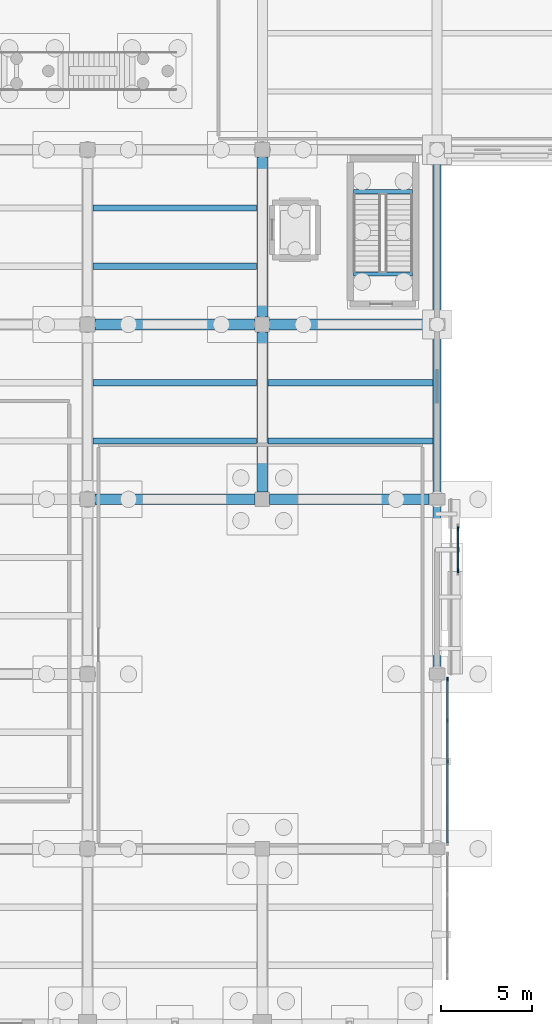
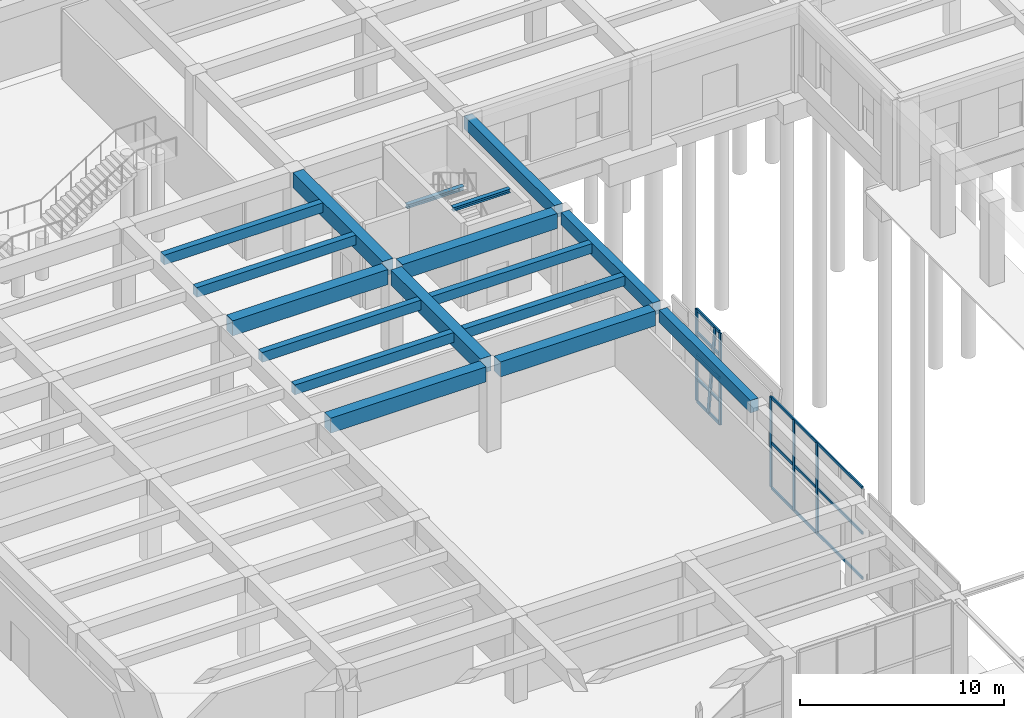
# One storey, part 20 of 51: 17 beams, 14 members, 2 elements without a shape of their own.
"""IFC4 building model written with IfcOpenShell, lengths in metres."""

import ifcopenshell
import ifcopenshell.guid

model = None  # the IFC model being written
_history = None  # IfcOwnerHistory: only IFC2X3 demands one
_inside = {}  # id of a spatial element -> (the spatial element, [elements in it])
_under = {}  # id of a project, library or spatial element -> (it, [spatial elements below it])
_declared = {}  # id of a project -> (the project, [libraries it declares])
_typed = {}  # id of a type object -> (the type object, [elements of that type])
_made_of = {}  # id of a material, layer set ... -> (it, [elements and type objects made of it])


def new_model(schema):
    """Start an empty IFC model of exactly this schema.

    Asked for "IFC4X3", IfcOpenShell would pick the latest addendum, in which some entities
    have other attributes; the version numbers below select the first issue.
    IFC2X3 requires an IfcOwnerHistory on every rooted entity: one is made here for all.
    """
    global model, _history
    if schema == "IFC4X3":
        model = ifcopenshell.file(schema_version=(4, 3, 0, 0))
    else:
        model = ifcopenshell.file(schema=schema)
    _inside.clear()
    _under.clear()
    _declared.clear()
    _typed.clear()
    _made_of.clear()
    _history = None
    if model.schema == "IFC2X3":
        org = make("IfcOrganization", Name="unknown")
        user = make(
            "IfcPersonAndOrganization",
            ThePerson=make("IfcPerson", FamilyName="unknown"),
            TheOrganization=org,
        )
        app = make(
            "IfcApplication",
            ApplicationDeveloper=org,
            Version="unknown",
            ApplicationFullName="unknown",
            ApplicationIdentifier="unknown",
        )
        _history = make(
            "IfcOwnerHistory",
            OwningUser=user,
            OwningApplication=app,
            ChangeAction="ADDED",
            CreationDate=0,
        )
    return model


def make(cls, **values):
    """One entity of the class cls with the attributes given. An attribute that is None is left unset."""
    return model.create_entity(
        cls, **{name: value for name, value in values.items() if value is not None}
    )


def rooted(cls, **values):
    """An entity with a GlobalId (a new one), such as an element, a storey or a relation."""
    return make(cls, GlobalId=ifcopenshell.guid.new(), OwnerHistory=_history, **values)


def si_unit(unit_type, name, prefix=None):
    """IfcSIUnit, for example si_unit("LENGTHUNIT", "METRE", prefix="MILLI")."""
    return make("IfcSIUnit", UnitType=unit_type, Prefix=prefix, Name=name)


def assignment(units):
    """IfcUnitAssignment: the units of a project."""
    return None if units is None else make("IfcUnitAssignment", Units=units)


def point(xyz):
    """IfcCartesianPoint."""
    return None if xyz is None else make("IfcCartesianPoint", Coordinates=xyz)


def direction(xyz):
    """IfcDirection."""
    return None if xyz is None else make("IfcDirection", DirectionRatios=xyz)


def frame(location, z_axis=None, x_axis=None):
    """IfcAxis2Placement3D, a coordinate frame: its origin and axes. An axis left out is left unset."""
    return make(
        "IfcAxis2Placement3D",
        Location=point(location),
        Axis=direction(z_axis),
        RefDirection=direction(x_axis),
    )


def frame_2d(location, x_axis=None):
    """IfcAxis2Placement2D, a coordinate frame in the plane: its origin and x axis."""
    return make(
        "IfcAxis2Placement2D", Location=point(location), RefDirection=direction(x_axis)
    )


def origin():
    """The frame at (0, 0, 0) with its axes left unset."""
    return frame((0.0, 0.0, 0.0))


def origin_2d():
    """The frame at (0, 0) in the plane with its x axis left unset."""
    return frame_2d((0.0, 0.0))


def place(relative_to, where):
    """IfcLocalPlacement: puts the frame where relative to a parent placement (None: the world)."""
    return make(
        "IfcLocalPlacement", PlacementRelTo=relative_to, RelativePlacement=where
    )


def context(
    kind, dimensions, precision=None, world=None, true_north=None, identifier=None
):
    """IfcGeometricRepresentationContext, for example the 3D "Model" context."""
    return make(
        "IfcGeometricRepresentationContext",
        ContextIdentifier=identifier,
        ContextType=kind,
        CoordinateSpaceDimension=dimensions,
        Precision=precision,
        WorldCoordinateSystem=world,
        TrueNorth=true_north,
    )


def subcontext(parent, identifier, kind, view, scale=None):
    """IfcGeometricRepresentationSubContext, for example "Body" below "Model"."""
    return make(
        "IfcGeometricRepresentationSubContext",
        ContextIdentifier=identifier,
        ContextType=kind,
        ParentContext=parent,
        TargetScale=scale,
        TargetView=view,
    )


def project(units=None, contexts=None):
    """IfcProject with its units and contexts."""
    return rooted(
        "IfcProject",
        Name="project",
        RepresentationContexts=contexts,
        UnitsInContext=assignment(units),
    )


def spatial(cls, under=None, at=None, **own):
    """A site, building, storey or space (cls), placed at a placement, below another one or the project."""
    s = rooted(cls, ObjectPlacement=at, **own)
    if under is not None:
        _under.setdefault(under.id(), (under, []))[1].append(s)
    return s


def profile(cls, at=None, kind="AREA", **sizes):
    """A parametric profile (cls). Its sizes go by their IFC names, for example OverallWidth=200.0."""
    return make(cls, ProfileType=kind, Position=at, **sizes)


def rectangle(**sizes):
    """IfcRectangleProfileDef."""
    return profile("IfcRectangleProfileDef", **sizes)


def i_section(**sizes):
    """IfcIShapeProfileDef."""
    return profile("IfcIShapeProfileDef", **sizes)


def extrude(swept, where, along, depth):
    """IfcExtrudedAreaSolid: the profile swept, set in the frame where, extruded along a direction by depth."""
    return make(
        "IfcExtrudedAreaSolid",
        SweptArea=swept,
        Position=where,
        ExtrudedDirection=direction(along),
        Depth=depth,
    )


def shape(context_of_items, identifier, shape_type, items):
    """IfcShapeRepresentation: the items that make up one representation, for example the "Body"."""
    return make(
        "IfcShapeRepresentation",
        ContextOfItems=context_of_items,
        RepresentationIdentifier=identifier,
        RepresentationType=shape_type,
        Items=items,
    )


def material(Name=None, Category=None):
    """IfcMaterial."""
    return make("IfcMaterial", Name=Name, Category=Category)


def layer(
    of_material, thickness, ventilated=None, Name=None, Category=None, Priority=None
):
    """IfcMaterialLayer: one layer of a wall or slab, of a material (None: an air gap)."""
    return make(
        "IfcMaterialLayer",
        Material=of_material,
        LayerThickness=thickness,
        IsVentilated=ventilated,
        Name=Name,
        Category=Category,
        Priority=Priority,
    )


def layer_set(layers, Name=None):
    """IfcMaterialLayerSet."""
    return make("IfcMaterialLayerSet", MaterialLayers=layers, LayerSetName=Name)


def material_profile(
    of_material, cross_section, Name=None, Category=None, Priority=None
):
    """IfcMaterialProfile: a cross section and its material."""
    return make(
        "IfcMaterialProfile",
        Name=Name,
        Material=of_material,
        Profile=cross_section,
        Priority=Priority,
        Category=Category,
    )


def profile_set(profiles, Name=None, composite=None):
    """IfcMaterialProfileSet."""
    return make(
        "IfcMaterialProfileSet",
        Name=Name,
        MaterialProfiles=profiles,
        CompositeProfile=composite,
    )


def made_of(thing, what):
    """Note that an element or type object is made of a material, layer set ...; save() writes the relation."""
    if what is not None:
        _made_of.setdefault(what.id(), (what, []))[1].append(thing)
    return thing


def type_object(cls, material=None, **own):
    """A type object (cls), such as IfcWallType, which elements share."""
    return made_of(rooted(cls, **own), material)


def element(
    cls,
    number,
    at=None,
    inside=None,
    cuts=None,
    type_object=None,
    material=None,
    context=None,
    identifier="Body",
    shape_type=None,
    held_by="IfcProductDefinitionShape",
    body=None,
    shapes=None,
    **own,
):
    """One element of the class cls, such as IfcWall. Its Tag is "e" and its number.

    at: its placement. inside: the storey or other place that contains it. cuts: it is an
    opening in that element (IfcRelVoidsElement). A single representation is given by context,
    identifier, shape_type and body (its items); several are given by shapes. held_by: the class
    of the entity that holds the representations. save() writes the other relations.
    """
    e = rooted(cls, Tag="e%d" % number, ObjectPlacement=at, **own)
    if body is not None:
        shapes = [shape(context, identifier, shape_type, body)]
    if shapes is not None:
        e.Representation = make(held_by, Representations=shapes)
    if inside is not None:
        _inside.setdefault(inside.id(), (inside, []))[1].append(e)
    if cuts is not None:
        rooted(
            "IfcRelVoidsElement", RelatingBuildingElement=cuts, RelatedOpeningElement=e
        )
    if type_object is not None:
        _typed.setdefault(type_object.id(), (type_object, []))[1].append(e)
    return made_of(e, material)


def aggregate(whole, parts):
    """IfcRelAggregates: a whole, such as a stair, and the parts it consists of."""
    return rooted("IfcRelAggregates", RelatingObject=whole, RelatedObjects=parts)


def save(model, path):
    """Write the relations noted so far, then the file.

    IfcRelAggregates (storeys below a building ...), IfcRelContainedInSpatialStructure (elements
    in a storey), IfcRelDefinesByType, IfcRelAssociatesMaterial and IfcRelDeclares: one each for
    every whole, place, type object, material and project.
    """
    for whole, parts in _under.values():
        aggregate(whole, parts)
    for where, things in _inside.values():
        rooted(
            "IfcRelContainedInSpatialStructure",
            RelatedElements=things,
            RelatingStructure=where,
        )
    for kind, things in _typed.values():
        rooted("IfcRelDefinesByType", RelatedObjects=things, RelatingType=kind)
    for what, things in _made_of.values():
        rooted("IfcRelAssociatesMaterial", RelatedObjects=things, RelatingMaterial=what)
    for by, libraries in _declared.values():
        rooted("IfcRelDeclares", RelatingContext=by, RelatedDefinitions=libraries)
    model.write(path)


model = new_model("IFC4")

# Units and contexts
model_context = context("Model", 3, precision=1e-05, world=origin(), true_north=direction((0.0, 1.0)))
body_context = subcontext(model_context, "Body", "Model", "MODEL_VIEW")
ifc_project = project(units=[si_unit("LENGTHUNIT", "METRE"), si_unit("AREAUNIT", "SQUARE_METRE"), si_unit("VOLUMEUNIT", "CUBIC_METRE"), si_unit("PLANEANGLEUNIT", "RADIAN"), si_unit("MASSUNIT", "GRAM", prefix="KILO")], contexts=[model_context])

# Site, building, storey
site_placement = place(None, origin())
site = spatial("IfcSite", under=ifc_project, at=site_placement, CompositionType="ELEMENT")
building_placement = place(site_placement, origin())
building = spatial("IfcBuilding", under=site, at=building_placement, Name="Bempovik Park Faculty of Sciences", CompositionType="ELEMENT")
storey_placement = place(building_placement, origin())
storey = spatial("IfcBuildingStorey", under=building, at=storey_placement, Name="L00", CompositionType="ELEMENT", Elevation=0.0)

# Beams
ifc_material_1 = material(Name="Steel S355", Category="steel")
ifc_material_profile_1 = material_profile(ifc_material_1, i_section(OverallWidth=0.239990234375, OverallDepth=0.22998046875, WebThickness=0.007568359375, FlangeThickness=0.011962890625, at=origin_2d()), Name="HEA 240")
ifc_profile_set_1 = profile_set([ifc_material_profile_1], Name="Steel S355")
beam_type_1 = type_object("IfcBeamType", Name="B-070 HEA 240", PredefinedType="BEAM", material=ifc_profile_set_1)
for number, where, z_axis, x_axis, name in (
    (1, (113.006103515625, 65.49365234375, 2.385009765625), (1.0, 0.0, 0.0), (0.0, 1.0, 0.0), "L00 ST-5 Half-Landing Trimmer Beam"),
    (2, (113.006103515625, 60.97509765625, 4.965087890625), (1.0, 0.0, 0.0), (0.0, 1.0, 0.0), "L01 ST-5 Floor Landing Trimmer Beam"),
):
    element("IfcBeam", number, at=place(storey_placement, frame(where, z_axis=z_axis, x_axis=x_axis)), inside=storey, type_object=beam_type_1, Name=name, PredefinedType="BEAM", context=body_context, shape_type="SweptSolid", body=[
        extrude(i_section(OverallWidth=0.239990234375, OverallDepth=0.22998046875, WebThickness=0.007568359375, FlangeThickness=0.011962890625, at=origin_2d()), origin(), (0.0, 0.0, 1.0), 3.23779296875),
    ])
ifc_material_2 = material(Name="Concrete C35/45", Category="concrete")
ifc_material_profile_2 = material_profile(ifc_material_2, rectangle(XDim=0.35009765625, YDim=0.580078125, at=origin_2d()), Name="RC 350x580")
ifc_profile_set_2 = profile_set([ifc_material_profile_2], Name="Concrete C35/45")
beam_type_2 = type_object("IfcBeamType", Name="B-107 RC 350x580", PredefinedType="JOIST", material=ifc_profile_set_2)
for number, where, z_axis, x_axis, name in (
    (3, (98.7060546875, 51.800048828125, 4.7900390625), (1.0, 0.0, 0.0), (0.0, 1.0, 0.0), "L00 Secondary Joist (98.4-108.0, y=51.80)"),
    (4, (98.7060546875, 55.0, 4.7900390625), (1.0, 0.0, 0.0), (0.0, 1.0, 0.0), "L00 Secondary Joist (98.4-108.0, y=55.00)"),
    (5, (98.7060546875, 61.39990234375, 4.7900390625), (1.0, 0.0, 0.0), (0.0, 1.0, 0.0), "L00 Secondary Joist (98.4-108.0, y=61.40)"),
    (6, (98.7060546875, 64.60009765625, 4.7900390625), (1.0, 0.0, 0.0), (0.0, 1.0, 0.0), "L00 Secondary Joist (98.4-108.0, y=64.60)"),
):
    element("IfcBeam", number, at=place(storey_placement, frame(where, z_axis=z_axis, x_axis=x_axis)), inside=storey, type_object=beam_type_2, Name=name, PredefinedType="JOIST", context=body_context, shape_type="SweptSolid", body=[
        extrude(rectangle(XDim=0.35009765625, YDim=0.580078125, at=origin_2d()), origin(), (0.0, 0.0, 1.0), 8.988037109375),
    ])
for number, where, z_axis, x_axis, name in (
    (7, (108.305908203125, 51.800048828125, 4.7900390625), (1.0, 0.0, 0.0), (0.0, 1.0, 0.0), "L00 Secondary Joist (108.0-117.6, y=51.80)"),
    (8, (108.305908203125, 55.0, 4.7900390625), (1.0, 0.0, 0.0), (0.0, 1.0, 0.0), "L00 Secondary Joist (108.0-117.6, y=55.00)"),
):
    element("IfcBeam", number, at=place(storey_placement, frame(where, z_axis=z_axis, x_axis=x_axis)), inside=storey, type_object=beam_type_2, Name=name, PredefinedType="JOIST", context=body_context, shape_type="SweptSolid", body=[
        extrude(rectangle(XDim=0.35009765625, YDim=0.580078125, at=origin_2d()), origin(), (0.0, 0.0, 1.0), 9.06298828125),
    ])
ifc_material_3 = material(Name="Concrete C40/50", Category="concrete")
ifc_material_profile_3 = material_profile(ifc_material_3, rectangle(XDim=0.60009765625, YDim=0.89990234375, at=origin_2d()), Name="RC 600x900")
ifc_profile_set_3 = profile_set([ifc_material_profile_3], Name="Concrete C40/50")
beam_type_3 = type_object("IfcBeamType", Name="B-115 RC 600x900", PredefinedType="BEAM", material=ifc_profile_set_3)
beam_1_placement = place(storey_placement, frame((98.805908203125, 48.60009765625, 4.6298828125), z_axis=(1.0, 0.0, 0.0), x_axis=(0.0, 1.0, 0.0)))
element("IfcBeam", 9, at=beam_1_placement, inside=storey, type_object=beam_type_3, Name="L00 Beam X (98.4-108.0, y=48.6)", PredefinedType="BEAM", context=body_context, shape_type="SweptSolid", body=[
    extrude(rectangle(XDim=0.60009765625, YDim=0.89990234375, at=origin_2d()), origin(), (0.0, 0.0, 1.0), 8.7880859375),
])
beam_2_placement = place(storey_placement, frame((108.406005859375, 48.60009765625, 4.6298828125), z_axis=(1.0, 0.0, 0.0), x_axis=(0.0, 1.0, 0.0)))
element("IfcBeam", 10, at=beam_2_placement, inside=storey, type_object=beam_type_3, Name="L00 Beam X (108.0-117.6, y=48.6)", PredefinedType="BEAM", context=body_context, shape_type="SweptSolid", body=[
    extrude(rectangle(XDim=0.60009765625, YDim=0.89990234375, at=origin_2d()), origin(), (0.0, 0.0, 1.0), 8.762939453125),
])
beam_3_placement = place(storey_placement, frame((98.805908203125, 58.199951171875, 4.6298828125), z_axis=(1.0, 0.0, 0.0), x_axis=(0.0, 1.0, 0.0)))
element("IfcBeam", 11, at=beam_3_placement, inside=storey, type_object=beam_type_3, Name="L00 Beam X (98.4-108.0, y=58.2)", PredefinedType="BEAM", context=body_context, shape_type="SweptSolid", body=[
    extrude(rectangle(XDim=0.60009765625, YDim=0.89990234375, at=origin_2d()), origin(), (0.0, 0.0, 1.0), 8.7880859375),
])
beam_4_placement = place(storey_placement, frame((108.406005859375, 58.199951171875, 4.6298828125), z_axis=(1.0, 0.0, 0.0), x_axis=(0.0, 1.0, 0.0)))
element("IfcBeam", 12, at=beam_4_placement, inside=storey, type_object=beam_type_3, Name="L00 Beam X (108.0-117.6, y=58.2)", PredefinedType="BEAM", context=body_context, shape_type="SweptSolid", body=[
    extrude(rectangle(XDim=0.60009765625, YDim=0.89990234375, at=origin_2d()), origin(), (0.0, 0.0, 1.0), 8.762939453125),
])
beam_5_placement = place(storey_placement, frame((108.0, 49.006103515625, 4.6298828125), z_axis=(0.0, 1.0, 0.0), x_axis=(-1.0, 0.0, 0.0)))
element("IfcBeam", 13, at=beam_5_placement, inside=storey, type_object=beam_type_3, Name="L00 Beam Y (x=108.0, 48.6-58.2)", PredefinedType="BEAM", context=body_context, shape_type="SweptSolid", body=[
    extrude(rectangle(XDim=0.60009765625, YDim=0.89990234375, at=origin_2d()), origin(), (0.0, 0.0, 1.0), 8.787841796875),
])
beam_6_placement = place(storey_placement, frame((108.0, 58.60595703125, 4.6298828125), z_axis=(0.0, 1.0, 0.0), x_axis=(-1.0, 0.0, 0.0)))
element("IfcBeam", 14, at=beam_6_placement, inside=storey, type_object=beam_type_3, Name="L00 Beam Y (x=108.0, 58.2-67.8)", PredefinedType="BEAM", context=body_context, shape_type="SweptSolid", body=[
    extrude(rectangle(XDim=0.60009765625, YDim=0.89990234375, at=origin_2d()), origin(), (0.0, 0.0, 1.0), 8.7880859375),
])
ifc_material_profile_4 = material_profile(ifc_material_3, rectangle(XDim=0.449951171875, YDim=0.75, at=origin_2d()), Name="RC 450x750")
ifc_profile_set_4 = profile_set([ifc_material_profile_4], Name="Concrete C40/50")
beam_type_4 = type_object("IfcBeamType", Name="B-130 RC 450x750", PredefinedType="SPANDREL", material=ifc_profile_set_4)
for number, where, z_axis, x_axis, name in (
    (15, (117.60009765625, 39.3310546875, 4.705078125), (0.0, 1.0, 0.0), (-1.0, 0.0, 0.0), "L00 Beam Y (x=117.6, 39.0-48.6)"),
    (16, (117.60009765625, 48.930908203125, 4.705078125), (0.0, 1.0, 0.0), (-1.0, 0.0, 0.0), "L00 Beam Y (x=117.6, 48.6-58.2)"),
):
    element("IfcBeam", number, at=place(storey_placement, frame(where, z_axis=z_axis, x_axis=x_axis)), inside=storey, type_object=beam_type_4, Name=name, PredefinedType="SPANDREL", context=body_context, shape_type="SweptSolid", body=[
        extrude(rectangle(XDim=0.449951171875, YDim=0.75, at=origin_2d()), origin(), (0.0, 0.0, 1.0), 8.93798828125),
    ])
beam_7_placement = place(storey_placement, frame((117.60009765625, 58.531005859375, 4.705078125), z_axis=(0.0, 1.0, 0.0), x_axis=(-1.0, 0.0, 0.0)))
element("IfcBeam", 17, at=beam_7_placement, inside=storey, type_object=beam_type_4, Name="L00 Beam Y (x=117.6, 58.2-67.8)", PredefinedType="SPANDREL", context=body_context, shape_type="SweptSolid", body=[
    extrude(rectangle(XDim=0.449951171875, YDim=0.75, at=origin_2d()), origin(), (0.0, 0.0, 1.0), 8.863037109375),
])

# Curtain wall, members
ifc_material_4 = material(Name="Tempered laminated low-E glass", Category="glass")
ifc_layer_1 = layer(ifc_material_4, 0.159912109375)
ifc_layer_set_1 = layer_set([ifc_layer_1], Name="Tempered laminated low-E glass")
curtain_wall_type_1 = type_object("IfcCurtainWallType", Name="CW-57 Curtain 7200x5100", PredefinedType="USERDEFINED", material=ifc_layer_set_1)
curtain_wall_1_placement = place(storey_placement, origin())
curtain_wall_1 = element("IfcCurtainWall", 18, at=curtain_wall_1_placement, inside=storey, type_object=curtain_wall_type_1, Name="L00 Recessed Entrance Foyer Curtain Wall (29.4-39.0)", ObjectType="UNITISED CURTAIN WALL", PredefinedType="USERDEFINED")
ifc_material_5 = material(Name="Anodised architectural bronze", Category="aluminium")
ifc_material_profile_5 = material_profile(ifc_material_5, rectangle(XDim=0.074951171875, YDim=0.199951171875, at=origin_2d()), Name="ALU-M 75x200")
ifc_profile_set_5 = profile_set([ifc_material_profile_5], Name="Anodised architectural bronze")
member_type_1 = type_object("IfcMemberType", Name="ML-17 ALU-M 75x200", PredefinedType="MULLION", material=ifc_profile_set_5)
member_1_placement = place(storey_placement, frame((118.179931640625, 34.199951171875, 0.0), z_axis=(0.0, 0.0, 1.0), x_axis=(1.0, 0.0, 0.0)))
member_1 = element("IfcMember", 19, at=member_1_placement, type_object=member_type_1, Name="CW-FOY-L00-1176-294 Mullion 2", PredefinedType="MULLION", context=body_context, shape_type="SweptSolid", body=[
    extrude(rectangle(XDim=0.074951171875, YDim=0.199951171875, at=origin_2d()), origin(), (0.0, 0.0, 1.0), 5.39990234375),
])
member_2_placement = place(storey_placement, frame((118.179931640625, 36.45654296875, 0.0), z_axis=(0.0, 0.0, 1.0), x_axis=(1.0, 0.0, 0.0)))
member_2 = element("IfcMember", 20, at=member_2_placement, type_object=member_type_1, Name="CW-FOY-L00-1176-294 Mullion 3", PredefinedType="MULLION", context=body_context, shape_type="SweptSolid", body=[
    extrude(rectangle(XDim=0.074951171875, YDim=0.199951171875, at=origin_2d()), origin(), (0.0, 0.0, 1.0), 5.39990234375),
])
member_3_placement = place(storey_placement, frame((118.179931640625, 38.712890625, 0.0), z_axis=(0.0, 0.0, 1.0), x_axis=(1.0, 0.0, 0.0)))
member_3 = element("IfcMember", 21, at=member_3_placement, type_object=member_type_1, Name="CW-FOY-L00-1176-294 Mullion 4", PredefinedType="MULLION", context=body_context, shape_type="SweptSolid", body=[
    extrude(rectangle(XDim=0.074951171875, YDim=0.199951171875, at=origin_2d()), origin(), (0.0, 0.0, 1.0), 5.39990234375),
])

ifc_layer_2 = layer(ifc_material_4, 0.159912109375)
ifc_layer_set_2 = layer_set([ifc_layer_2], Name="Tempered laminated low-E glass")
curtain_wall_type_2 = type_object("IfcCurtainWallType", Name="CW-59 Curtain 2400x4500", PredefinedType="USERDEFINED", material=ifc_layer_set_2)
curtain_wall_2_placement = place(storey_placement, origin())
curtain_wall_2 = element("IfcCurtainWall", 22, at=curtain_wall_2_placement, inside=storey, type_object=curtain_wall_type_2, Name="L00 Crystal Slantwise Light Fold (117.6,39.0)", ObjectType="UNITISED CURTAIN WALL", PredefinedType="USERDEFINED")
ifc_material_profile_6 = material_profile(ifc_material_5, rectangle(XDim=0.080078125, YDim=0.219970703125, at=origin_2d()), Name="ALU-M 80x220")
ifc_profile_set_6 = profile_set([ifc_material_profile_6], Name="Anodised architectural bronze")
member_type_2 = type_object("IfcMemberType", Name="ML-29 ALU-M 80x220", PredefinedType="MULLION", material=ifc_profile_set_6)
member_4_placement = place(storey_placement, frame((118.744384765625, 44.675048828125, -0.0400390625), z_axis=(0.0, 0.0, 1.0), x_axis=(1.0, 0.0, 0.0)))
member_4 = element("IfcMember", 23, at=member_4_placement, type_object=member_type_2, Name="CW-FOLD-L00-1176-390 Mullion 0", PredefinedType="MULLION", context=body_context, shape_type="SweptSolid", body=[
    extrude(rectangle(XDim=0.080078125, YDim=0.219970703125, at=origin_2d()), origin(), (0.0, 0.0, 1.0), 5.47998046875),
])
member_5_placement = place(storey_placement, frame((118.744384765625, 45.824951171875, -0.0400390625), z_axis=(0.0, -0.123131390904, 0.992390377107), x_axis=(1.0, 0.0, 0.0)))
member_5 = element("IfcMember", 24, at=member_5_placement, type_object=member_type_2, Name="CW-FOLD-L00-1176-390 Mullion 1", PredefinedType="MULLION", context=body_context, shape_type="SweptSolid", body=[
    extrude(rectangle(XDim=0.080078125, YDim=0.219970703125, at=origin_2d()), origin(), (0.0, 0.0, 1.0), 5.52197265625),
])
member_6_placement = place(storey_placement, frame((118.744384765625, 46.97509765625, -0.0400390625), z_axis=(0.0, 0.0, 1.0), x_axis=(1.0, 0.0, 0.0)))
member_6 = element("IfcMember", 25, at=member_6_placement, type_object=member_type_2, Name="CW-FOLD-L00-1176-390 Mullion 2", PredefinedType="MULLION", context=body_context, shape_type="SweptSolid", body=[
    extrude(rectangle(XDim=0.080078125, YDim=0.219970703125, at=origin_2d()), origin(), (0.0, 0.0, 1.0), 5.47998046875),
])

# Member
ifc_material_profile_7 = material_profile(ifc_material_5, rectangle(XDim=0.074951171875, YDim=0.1650390625, at=origin_2d()), Name="ALU-T 75x165")
ifc_profile_set_7 = profile_set([ifc_material_profile_7], Name="Anodised architectural bronze")
member_type_3 = type_object("IfcMemberType", Name="TR-15 ALU-T 75x165", PredefinedType="USERDEFINED", material=ifc_profile_set_7)
member_7_placement = place(storey_placement, frame((118.179931640625, 29.72705078125, 0.0), z_axis=(0.0, 1.0, 0.0), x_axis=(-1.0, 0.0, 0.0)))
member_7 = element("IfcMember", 26, at=member_7_placement, type_object=member_type_3, Name="CW-FOY-L00-1176-294 Transom 0", ObjectType="TRANSOM", PredefinedType="USERDEFINED", context=body_context, shape_type="SweptSolid", body=[
    extrude(rectangle(XDim=0.074951171875, YDim=0.1650390625, at=origin_2d()), origin(), (0.0, 0.0, 1.0), 8.946044921875),
])

member_8_placement = place(storey_placement, frame((118.179931640625, 29.72705078125, 2.699951171875), z_axis=(0.0, 1.0, 0.0), x_axis=(-1.0, 0.0, 0.0)))
member_8 = element("IfcMember", 27, at=member_8_placement, type_object=member_type_3, Name="CW-FOY-L00-1176-294 Transom 1", ObjectType="TRANSOM", PredefinedType="USERDEFINED", context=body_context, shape_type="SweptSolid", body=[
    extrude(rectangle(XDim=0.074951171875, YDim=0.1650390625, at=origin_2d()), origin(), (0.0, 0.0, 1.0), 8.946044921875),
])

member_9_placement = place(storey_placement, frame((118.179931640625, 29.72705078125, 5.39990234375), z_axis=(0.0, 1.0, 0.0), x_axis=(-1.0, 0.0, 0.0)))
member_9 = element("IfcMember", 28, at=member_9_placement, type_object=member_type_3, Name="CW-FOY-L00-1176-294 Transom 2", ObjectType="TRANSOM", PredefinedType="USERDEFINED", context=body_context, shape_type="SweptSolid", body=[
    extrude(rectangle(XDim=0.074951171875, YDim=0.1650390625, at=origin_2d()), origin(), (0.0, 0.0, 1.0), 8.946044921875),
])

aggregate(curtain_wall_1, [member_1, member_2, member_3, member_7, member_8, member_9])

ifc_material_profile_8 = material_profile(ifc_material_5, rectangle(XDim=0.080078125, YDim=0.179931640625, at=origin_2d()), Name="ALU-T 80x180")
ifc_profile_set_8 = profile_set([ifc_material_profile_8], Name="Anodised architectural bronze")
member_type_4 = type_object("IfcMemberType", Name="TR-29 ALU-T 80x180", PredefinedType="USERDEFINED", material=ifc_profile_set_8)
member_10_placement = place(storey_placement, frame((118.744384765625, 44.715087890625, -0.0400390625), z_axis=(0.0, 1.0, 0.0), x_axis=(-1.0, 0.0, 0.0)))
member_10 = element("IfcMember", 29, at=member_10_placement, type_object=member_type_4, Name="CW-FOLD-L00-1176-390 Transom 0", ObjectType="TRANSOM", PredefinedType="USERDEFINED", context=body_context, shape_type="SweptSolid", body=[
    extrude(rectangle(XDim=0.080078125, YDim=0.179931640625, at=origin_2d()), origin(), (0.0, 0.0, 1.0), 2.219970703125),
])

member_11_placement = place(storey_placement, frame((118.744384765625, 44.715087890625, 1.330078125), z_axis=(0.0, 1.0, 0.0), x_axis=(-1.0, 0.0, 0.0)))
member_11 = element("IfcMember", 30, at=member_11_placement, type_object=member_type_4, Name="CW-FOLD-L00-1176-390 Transom 1", ObjectType="TRANSOM", PredefinedType="USERDEFINED", context=body_context, shape_type="SweptSolid", body=[
    extrude(rectangle(XDim=0.080078125, YDim=0.179931640625, at=origin_2d()), origin(), (0.0, 0.0, 1.0), 2.219970703125),
])

member_12_placement = place(storey_placement, frame((118.744384765625, 44.715087890625, 2.699951171875), z_axis=(0.0, 1.0, 0.0), x_axis=(-1.0, 0.0, 0.0)))
member_12 = element("IfcMember", 31, at=member_12_placement, type_object=member_type_4, Name="CW-FOLD-L00-1176-390 Transom 2", ObjectType="TRANSOM", PredefinedType="USERDEFINED", context=body_context, shape_type="SweptSolid", body=[
    extrude(rectangle(XDim=0.080078125, YDim=0.179931640625, at=origin_2d()), origin(), (0.0, 0.0, 1.0), 2.219970703125),
])

member_13_placement = place(storey_placement, frame((118.744384765625, 44.715087890625, 4.070068359375), z_axis=(0.0, 1.0, 0.0), x_axis=(-1.0, 0.0, 0.0)))
member_13 = element("IfcMember", 32, at=member_13_placement, type_object=member_type_4, Name="CW-FOLD-L00-1176-390 Transom 3", ObjectType="TRANSOM", PredefinedType="USERDEFINED", context=body_context, shape_type="SweptSolid", body=[
    extrude(rectangle(XDim=0.080078125, YDim=0.179931640625, at=origin_2d()), origin(), (0.0, 0.0, 1.0), 2.219970703125),
])

member_14_placement = place(storey_placement, frame((118.744384765625, 44.715087890625, 5.43994140625), z_axis=(0.0, 1.0, 0.0), x_axis=(-1.0, 0.0, 0.0)))
member_14 = element("IfcMember", 33, at=member_14_placement, type_object=member_type_4, Name="CW-FOLD-L00-1176-390 Transom 4", ObjectType="TRANSOM", PredefinedType="USERDEFINED", context=body_context, shape_type="SweptSolid", body=[
    extrude(rectangle(XDim=0.080078125, YDim=0.179931640625, at=origin_2d()), origin(), (0.0, 0.0, 1.0), 2.219970703125),
])

aggregate(curtain_wall_2, [member_4, member_5, member_6, member_10, member_11, member_12, member_13, member_14])

save(model, "model.ifc")
